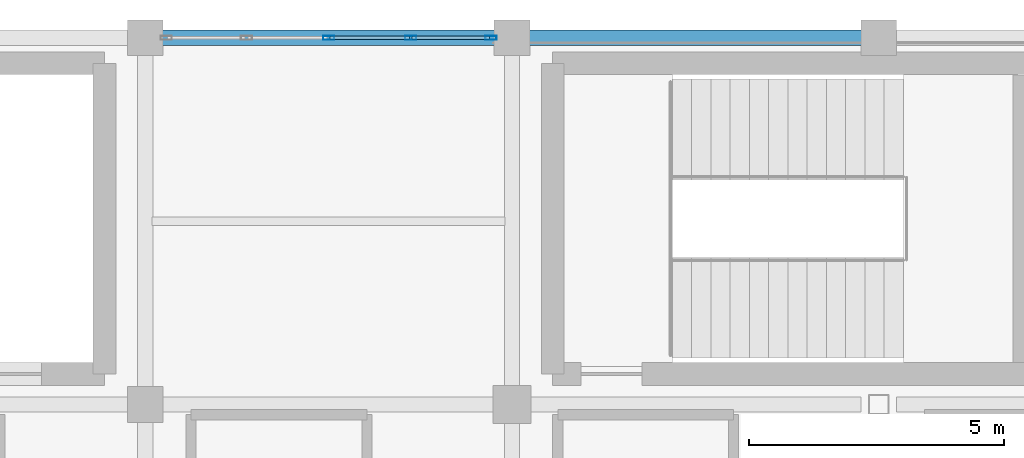
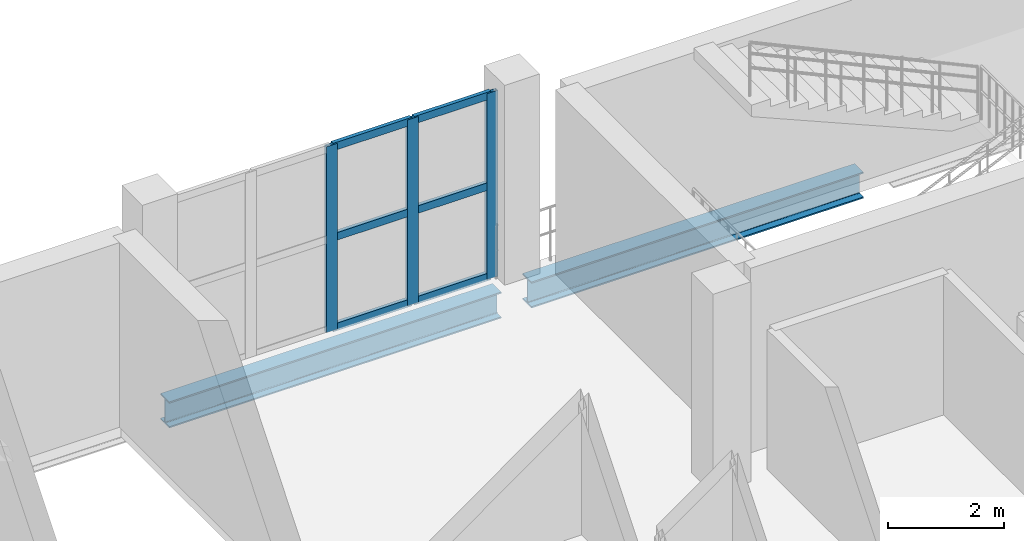
# One storey, part 85 of 130: 9 members, 2 beams, 1 element without a shape of its own.
"""IFC4 building model written with IfcOpenShell, lengths in metres."""

from ifc_helpers import new_model, si_unit, direction, frame, origin, origin_2d, place, context, subcontext, project, spatial, hollow_rectangle, i_section, extrude, material, material_profile, profile_set, type_object, element, aggregate, save


model = new_model("IFC4")

# Units and contexts
model_context = context("Model", 3, precision=1e-05, world=origin(), true_north=direction((0.0, 1.0)))
body_context = subcontext(model_context, "Body", "Model", "MODEL_VIEW")
ifc_project = project(units=[si_unit("LENGTHUNIT", "METRE"), si_unit("AREAUNIT", "SQUARE_METRE"), si_unit("VOLUMEUNIT", "CUBIC_METRE"), si_unit("PLANEANGLEUNIT", "RADIAN"), si_unit("MASSUNIT", "GRAM", prefix="KILO")], contexts=[model_context])

# Site, building, storey
site_placement = place(None, origin())
site = spatial("IfcSite", under=ifc_project, at=site_placement, CompositionType="ELEMENT")
building_placement = place(site_placement, origin())
building = spatial("IfcBuilding", under=site, at=building_placement, Name="Qandorah Velis Arena", CompositionType="ELEMENT")
storey_placement = place(building_placement, frame((0.0, 0.0, 9.60009765625)))
storey = spatial("IfcBuildingStorey", under=building, at=storey_placement, Name="L02", CompositionType="ELEMENT", Elevation=9.60009765625)

# Curtain wall, members
ifc_material_1 = material(Name="Solar-control low-E double glazing", Category="glass")
curtain_wall_type = type_object("IfcCurtainWallType", Name="ARC-CW-SYS13", PredefinedType="USERDEFINED", material=ifc_material_1)
curtain_wall_placement = place(storey_placement, origin())
curtain_wall = element("IfcCurtainWall", 1, at=curtain_wall_placement, inside=storey, type_object=curtain_wall_type, Name="Unitised curtain wall L02-085", ObjectType="UNITISED CURTAIN WALL", PredefinedType="USERDEFINED")
ifc_material_2 = material(Name="Champagne-bronze anodized aluminium 6063-T6", Category="aluminium")
ifc_material_profile_1 = material_profile(ifc_material_2, hollow_rectangle(XDim=0.074951171875, YDim=0.219970703125, WallThickness=0.00390625, at=origin_2d()), Name="ALU MULLION 75x220")
ifc_profile_set_1 = profile_set([ifc_material_profile_1], Name="Champagne-bronze anodized aluminium 6063-T6")
member_type_1 = type_object("IfcMemberType", Name="ARC-CWM-220", PredefinedType="MULLION", material=ifc_profile_set_1)
member_1_placement = place(storey_placement, frame((46.800048828125, 129.60009765625, -0.01513671875), z_axis=(0.0, 0.0, 1.0), x_axis=(0.0, 1.0, 0.0)))
member_1 = element("IfcMember", 2, at=member_1_placement, type_object=member_type_1, Name="CW13 mullion 3", PredefinedType="MULLION", context=body_context, shape_type="SweptSolid", body=[
    extrude(hollow_rectangle(XDim=0.074951171875, YDim=0.219970703125, WallThickness=0.00390625, at=origin_2d()), origin(), (0.0, 0.0, 1.0), 3.91015625),
])
member_2_placement = place(storey_placement, frame((48.41259765625, 129.60009765625, -0.01513671875), z_axis=(0.0, 0.0, 1.0), x_axis=(0.0, 1.0, 0.0)))
member_2 = element("IfcMember", 3, at=member_2_placement, type_object=member_type_1, Name="CW13 mullion 4", PredefinedType="MULLION", context=body_context, shape_type="SweptSolid", body=[
    extrude(hollow_rectangle(XDim=0.074951171875, YDim=0.219970703125, WallThickness=0.00390625, at=origin_2d()), origin(), (0.0, 0.0, 1.0), 3.91015625),
])
member_3_placement = place(storey_placement, frame((49.987548828125, 129.60009765625, -0.01513671875), z_axis=(0.0, 0.0, 1.0), x_axis=(0.0, 1.0, 0.0)))
member_3 = element("IfcMember", 4, at=member_3_placement, type_object=member_type_1, Name="CW13 mullion 5", PredefinedType="MULLION", context=body_context, shape_type="SweptSolid", body=[
    extrude(hollow_rectangle(XDim=0.074951171875, YDim=0.219970703125, WallThickness=0.00390625, at=origin_2d()), origin(), (0.0, 0.0, 1.0), 3.91015625),
])
ifc_material_profile_2 = material_profile(ifc_material_2, hollow_rectangle(XDim=0.074951171875, YDim=0.159912109375, WallThickness=0.00341796875, at=origin_2d()), Name="ALU TRANSOM 75x160")
ifc_profile_set_2 = profile_set([ifc_material_profile_2], Name="Champagne-bronze anodized aluminium 6063-T6")
member_type_2 = type_object("IfcMemberType", Name="ARC-CWT-160", PredefinedType="USERDEFINED", material=ifc_profile_set_2)
member_4_placement = place(storey_placement, frame((46.825439453125, 129.60009765625, 0.037353515625), z_axis=(1.0, 0.0, 0.0), x_axis=(0.0, 1.0, 0.0)))
member_4 = element("IfcMember", 5, at=member_4_placement, type_object=member_type_2, Name="CW13 transom 3.1", ObjectType="TRANSOM", PredefinedType="USERDEFINED", context=body_context, shape_type="SweptSolid", body=[
    extrude(hollow_rectangle(XDim=0.074951171875, YDim=0.159912109375, WallThickness=0.00341796875, at=origin_2d()), origin(), (0.0, 0.0, 1.0), 1.5615234375),
])
member_5_placement = place(storey_placement, frame((46.825439453125, 129.60009765625, 1.93994140625), z_axis=(1.0, 0.0, 0.0), x_axis=(0.0, 1.0, 0.0)))
member_5 = element("IfcMember", 6, at=member_5_placement, type_object=member_type_2, Name="CW13 transom 3.2", ObjectType="TRANSOM", PredefinedType="USERDEFINED", context=body_context, shape_type="SweptSolid", body=[
    extrude(hollow_rectangle(XDim=0.074951171875, YDim=0.159912109375, WallThickness=0.00341796875, at=origin_2d()), origin(), (0.0, 0.0, 1.0), 1.5615234375),
])
member_6_placement = place(storey_placement, frame((46.825439453125, 129.60009765625, 3.84228515625), z_axis=(1.0, 0.0, 0.0), x_axis=(0.0, 1.0, 0.0)))
member_6 = element("IfcMember", 7, at=member_6_placement, type_object=member_type_2, Name="CW13 transom 3.3", ObjectType="TRANSOM", PredefinedType="USERDEFINED", context=body_context, shape_type="SweptSolid", body=[
    extrude(hollow_rectangle(XDim=0.074951171875, YDim=0.159912109375, WallThickness=0.00341796875, at=origin_2d()), origin(), (0.0, 0.0, 1.0), 1.5615234375),
])
member_7_placement = place(storey_placement, frame((48.43798828125, 129.60009765625, 0.037353515625), z_axis=(1.0, 0.0, 0.0), x_axis=(0.0, 1.0, 0.0)))
member_7 = element("IfcMember", 8, at=member_7_placement, type_object=member_type_2, Name="CW13 transom 4.1", ObjectType="TRANSOM", PredefinedType="USERDEFINED", context=body_context, shape_type="SweptSolid", body=[
    extrude(hollow_rectangle(XDim=0.074951171875, YDim=0.159912109375, WallThickness=0.00341796875, at=origin_2d()), origin(), (0.0, 0.0, 1.0), 1.52392578125),
])
member_8_placement = place(storey_placement, frame((48.43798828125, 129.60009765625, 1.93994140625), z_axis=(1.0, 0.0, 0.0), x_axis=(0.0, 1.0, 0.0)))
member_8 = element("IfcMember", 9, at=member_8_placement, type_object=member_type_2, Name="CW13 transom 4.2", ObjectType="TRANSOM", PredefinedType="USERDEFINED", context=body_context, shape_type="SweptSolid", body=[
    extrude(hollow_rectangle(XDim=0.074951171875, YDim=0.159912109375, WallThickness=0.00341796875, at=origin_2d()), origin(), (0.0, 0.0, 1.0), 1.52392578125),
])
member_9_placement = place(storey_placement, frame((48.43798828125, 129.60009765625, 3.84228515625), z_axis=(1.0, 0.0, 0.0), x_axis=(0.0, 1.0, 0.0)))
member_9 = element("IfcMember", 10, at=member_9_placement, type_object=member_type_2, Name="CW13 transom 4.3", ObjectType="TRANSOM", PredefinedType="USERDEFINED", context=body_context, shape_type="SweptSolid", body=[
    extrude(hollow_rectangle(XDim=0.074951171875, YDim=0.159912109375, WallThickness=0.00341796875, at=origin_2d()), origin(), (0.0, 0.0, 1.0), 1.52392578125),
])
aggregate(curtain_wall, [member_1, member_2, member_3, member_4, member_5, member_6, member_7, member_8, member_9])

# Beams
ifc_material_3 = material(Name="Steel S355", Category="steel")
ifc_material_profile_3 = material_profile(ifc_material_3, i_section(OverallWidth=0.300048828125, OverallDepth=0.550048828125, WebThickness=0.014892578125, FlangeThickness=0.029052734375, FilletRadius=0.027099609375, at=origin_2d()), Name="HEB 550")
ifc_profile_set_3 = profile_set([ifc_material_profile_3], Name="Steel S355")
beam_type = type_object("IfcBeamType", Name="STR-BM-HEB550", PredefinedType="BEAM", material=ifc_profile_set_3)
for number, where, z_axis, x_axis, name in (
    (11, (43.5, 129.60009765625, -0.55517578125), (1.0, 0.0, 0.0), (0.0, 1.0, 0.0), "Primary floor girder L02 X-174"),
    (12, (50.699951171875, 129.60009765625, -0.55517578125), (1.0, 0.0, 0.0), (0.0, 1.0, 0.0), "Primary floor girder L02 X-175"),
):
    element("IfcBeam", number, at=place(storey_placement, frame(where, z_axis=z_axis, x_axis=x_axis)), inside=storey, type_object=beam_type, Name=name, PredefinedType="BEAM", context=body_context, shape_type="SweptSolid", body=[
        extrude(i_section(OverallWidth=0.300048828125, OverallDepth=0.550048828125, WebThickness=0.014892578125, FlangeThickness=0.029052734375, FilletRadius=0.027099609375, at=origin_2d()), origin(), (0.0, 0.0, 1.0), 6.60009765625),
    ])

save(model, "model.ifc")
